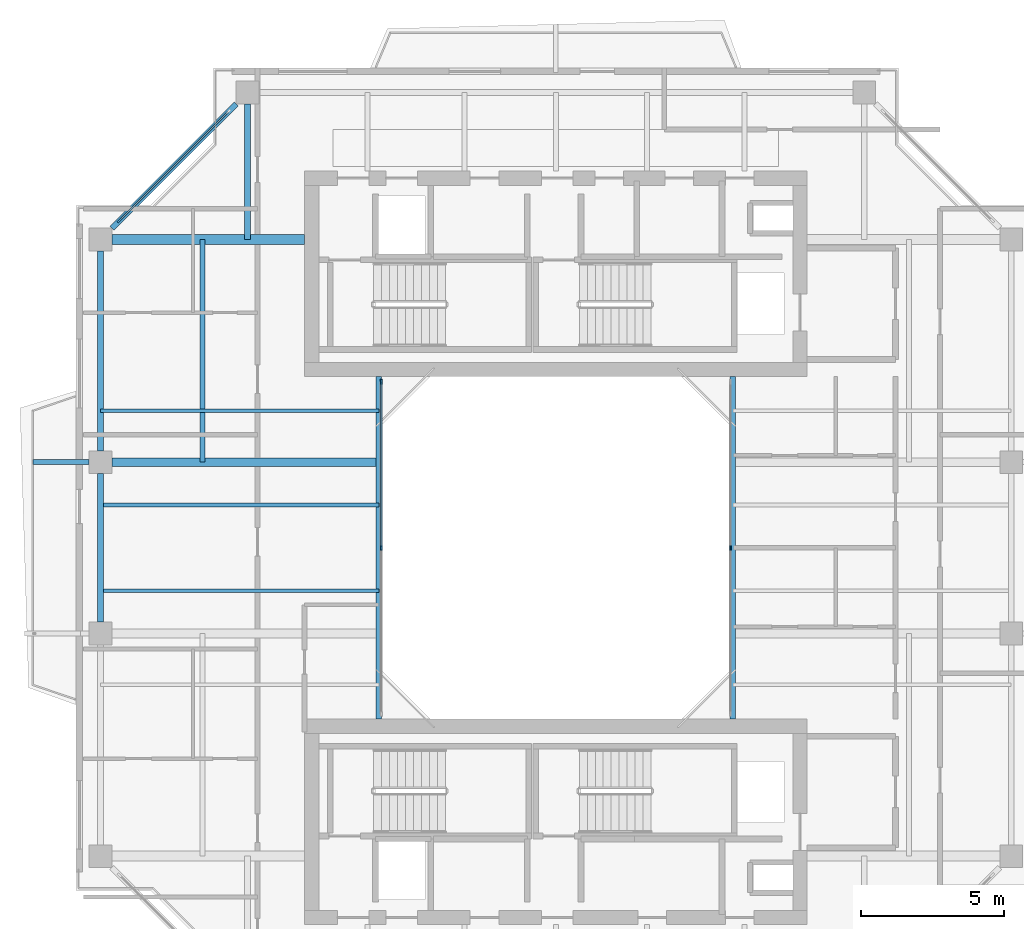
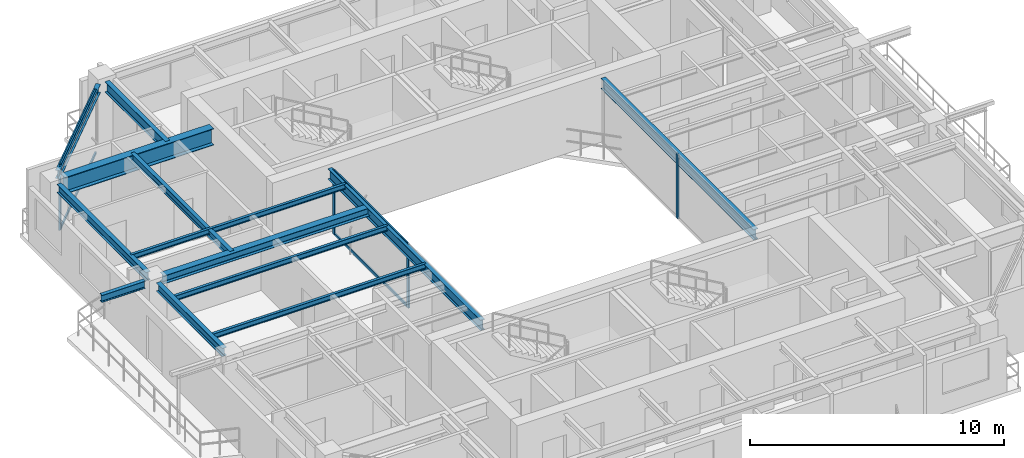
# One storey, part 5 of 15: 13 beams, 8 members, 3 elements without a shape of their own.
"""IFC4 building model written with IfcOpenShell, lengths in metres."""

from ifc_helpers import new_model, si_unit, direction, frame, origin, origin_2d, place, context, subcontext, project, spatial, rectangle, i_section, extrude, source, transform, mapped, material, layer, layer_set, material_profile, profile_set, type_object, element, aggregate, save


model = new_model("IFC4")

# Units and contexts
model_context = context("Model", 3, precision=1e-05, world=origin(), true_north=direction((0.0, 1.0)))
body_context = subcontext(model_context, "Body", "Model", "MODEL_VIEW")
ifc_project = project(units=[si_unit("LENGTHUNIT", "METRE"), si_unit("AREAUNIT", "SQUARE_METRE"), si_unit("VOLUMEUNIT", "CUBIC_METRE"), si_unit("PLANEANGLEUNIT", "RADIAN"), si_unit("MASSUNIT", "GRAM", prefix="KILO"), si_unit("THERMODYNAMICTEMPERATUREUNIT", "KELVIN"), si_unit("POWERUNIT", "WATT")], contexts=[model_context])

# Site, building, storey
site_placement = place(None, origin())
site = spatial("IfcSite", under=ifc_project, at=site_placement, CompositionType="ELEMENT")
building_placement = place(site_placement, origin())
building = spatial("IfcBuilding", under=site, at=building_placement, Name="Qiaomeng Ring Towers", CompositionType="ELEMENT")
storey_placement = place(building_placement, frame((0.0, 0.0, 206.75)))
storey = spatial("IfcBuildingStorey", under=building, at=storey_placement, Name="L60", CompositionType="ELEMENT", Elevation=206.75)

# Beams
ifc_material_1 = material(Name="Steel Q355B", Category="steel")
ifc_material_profile_1 = material_profile(ifc_material_1, i_section(OverallWidth=0.199951171875, OverallDepth=0.5, WebThickness=0.010009765625, FlangeThickness=0.01611328125, FilletRadius=0.02001953125, at=origin_2d()), Name="HN 500x200x10x16")
ifc_profile_set_1 = profile_set([ifc_material_profile_1], Name="Steel Q355B")
beam_type_1 = type_object("IfcBeamType", Name="STR-BM-HN500", PredefinedType="BEAM", material=ifc_profile_set_1)
shared_shape_1 = source(origin(), body_context, "Body", "SweptSolid", [
    extrude(i_section(OverallWidth=0.199951171875, OverallDepth=0.5, WebThickness=0.010009765625, FlangeThickness=0.01611328125, FilletRadius=0.02001953125, at=origin_2d()), origin(), (0.0, 0.0, 1.0), 12.0),
])
for number, where, z_axis, x_axis, name in (
    (1, (12.800048828125, 17.0, 2.820068359375), (0.0, 1.0, 0.0), (-1.0, 0.0, 0.0), "L60 beam STR-BM-L60-WELL-W"),
    (2, (25.199951171875, 17.0, 2.820068359375), (0.0, 1.0, 0.0), (-1.0, 0.0, 0.0), "L60 beam STR-BM-L60-WELL-E"),
):
    element("IfcBeam", number, at=place(storey_placement, frame(where, z_axis=z_axis, x_axis=x_axis)), inside=storey, type_object=beam_type_1, Name=name, PredefinedType="BEAM", context=body_context, shape_type="MappedRepresentation", body=[
        mapped(shared_shape_1, transform((0.0, 0.0, 0.0), x_axis=(1.0, 0.0, 0.0), y_axis=(0.0, 1.0, 0.0), z_axis=(0.0, 0.0, 1.0), scale=1.0)),
    ])
ifc_material_profile_2 = material_profile(ifc_material_1, i_section(OverallWidth=0.198974609375, OverallDepth=0.39599609375, WebThickness=0.007080078125, FlangeThickness=0.010986328125, FilletRadius=0.01611328125, at=origin_2d()), Name="HN 396x199x7x11")
ifc_profile_set_2 = profile_set([ifc_material_profile_2], Name="Steel Q355B")
beam_type_2 = type_object("IfcBeamType", Name="STR-BM-HN396", PredefinedType="SPANDREL", material=ifc_profile_set_2)
shared_shape_2 = source(origin(), body_context, "Body", "SweptSolid", [
    extrude(i_section(OverallWidth=0.198974609375, OverallDepth=0.39599609375, WebThickness=0.007080078125, FlangeThickness=0.010986328125, FilletRadius=0.01611328125, at=origin_2d()), origin(), (0.0, 0.0, 1.0), 6.154052734375),
])
beam_1_placement = place(storey_placement, frame((7.80078125, 38.55078125, 2.8720703125), z_axis=(-0.707106781187, -0.707106781187, 0.0), x_axis=(0.707106781187, -0.707106781187, 0.0)))
element("IfcBeam", 3, at=beam_1_placement, inside=storey, type_object=beam_type_2, Name="L60 beam STR-SP-L60-T1-N1-W4", PredefinedType="SPANDREL", context=body_context, shape_type="MappedRepresentation", body=[
    mapped(shared_shape_2, transform((0.0, 0.0, 0.0), x_axis=(1.0, 0.0, 0.0), y_axis=(0.0, 1.0, 0.0), z_axis=(0.0, 0.0, 1.0), scale=1.0)),
])
shared_shape_3 = source(origin(), body_context, "Body", "SweptSolid", [
    extrude(i_section(OverallWidth=0.198974609375, OverallDepth=0.39599609375, WebThickness=0.007080078125, FlangeThickness=0.010986328125, FilletRadius=0.01611328125, at=origin_2d()), origin(), (0.0, 0.0, 1.0), 7.001953125),
])
beam_2_placement = place(storey_placement, frame((3.050048828125, 33.40087890625, 2.8720703125), z_axis=(0.0, -1.0, 0.0), x_axis=(1.0, 0.0, 0.0)))
element("IfcBeam", 4, at=beam_2_placement, inside=storey, type_object=beam_type_2, Name="L60 beam STR-SP-L60-T1-W4-W3", PredefinedType="SPANDREL", context=body_context, shape_type="MappedRepresentation", body=[
    mapped(shared_shape_3, transform((0.0, 0.0, 0.0), x_axis=(1.0, 0.0, 0.0), y_axis=(0.0, 1.0, 0.0), z_axis=(0.0, 0.0, 1.0), scale=1.0)),
])
shared_shape_4 = source(origin(), body_context, "Body", "SweptSolid", [
    extrude(i_section(OverallWidth=0.198974609375, OverallDepth=0.39599609375, WebThickness=0.007080078125, FlangeThickness=0.010986328125, FilletRadius=0.01611328125, at=origin_2d()), origin(), (0.0, 0.0, 1.0), 5.2021484375),
])
beam_3_placement = place(storey_placement, frame((3.050048828125, 25.60107421875, 2.8720703125), z_axis=(0.0, -1.0, 0.0), x_axis=(1.0, 0.0, 0.0)))
element("IfcBeam", 5, at=beam_3_placement, inside=storey, type_object=beam_type_2, Name="L60 beam STR-SP-L60-T1-W3-W2", PredefinedType="SPANDREL", context=body_context, shape_type="MappedRepresentation", body=[
    mapped(shared_shape_4, transform((0.0, 0.0, 0.0), x_axis=(1.0, 0.0, 0.0), y_axis=(0.0, 1.0, 0.0), z_axis=(0.0, 0.0, 1.0), scale=1.0)),
])
ifc_material_2 = material(Name="Steel Q390GJC", Category="steel")
ifc_material_profile_3 = material_profile(ifc_material_2, i_section(OverallWidth=0.35009765625, OverallDepth=0.800048828125, WebThickness=0.01611328125, FlangeThickness=0.028076171875, at=origin_2d()), Name="WH 800x350x16x28")
ifc_profile_set_3 = profile_set([ifc_material_profile_3], Name="Steel Q390GJC")
beam_type_3 = type_object("IfcBeamType", Name="STR-BM-WH800", PredefinedType="BEAM", material=ifc_profile_set_3)
shared_shape_5 = source(origin(), body_context, "Body", "SweptSolid", [
    extrude(i_section(OverallWidth=0.35009765625, OverallDepth=0.800048828125, WebThickness=0.01611328125, FlangeThickness=0.028076171875, at=origin_2d()), origin(), (0.0, 0.0, 1.0), 6.7509765625),
])
beam_4_placement = place(storey_placement, frame((3.448974609375, 33.800048828125, 2.669921875), z_axis=(1.0, 0.0, 0.0), x_axis=(0.0, 1.0, 0.0)))
element("IfcBeam", 6, at=beam_4_placement, inside=storey, type_object=beam_type_3, Name="L60 beam STR-BM-L60-T1-RAD-W4", PredefinedType="BEAM", context=body_context, shape_type="MappedRepresentation", body=[
    mapped(shared_shape_5, transform((0.0, 0.0, 0.0), x_axis=(1.0, 0.0, 0.0), y_axis=(0.0, 1.0, 0.0), z_axis=(0.0, 0.0, 1.0), scale=1.0)),
])
shared_shape_6 = source(origin(), body_context, "Body", "SweptSolid", [
    extrude(i_section(OverallWidth=0.199951171875, OverallDepth=0.5, WebThickness=0.010009765625, FlangeThickness=0.01611328125, FilletRadius=0.02001953125, at=origin_2d()), origin(), (0.0, 0.0, 1.0), 4.7509765625),
])
beam_5_placement = place(storey_placement, frame((8.199951171875, 38.551025390625, 2.820068359375), z_axis=(0.0, -1.0, 0.0), x_axis=(1.0, 0.0, 0.0)))
element("IfcBeam", 7, at=beam_5_placement, inside=storey, type_object=beam_type_1, Name="L60 beam STR-BM-L60-T1-RAD-N1", PredefinedType="BEAM", context=body_context, shape_type="MappedRepresentation", body=[
    mapped(shared_shape_6, transform((0.0, 0.0, 0.0), x_axis=(1.0, 0.0, 0.0), y_axis=(0.0, 1.0, 0.0), z_axis=(0.0, 0.0, 1.0), scale=1.0)),
])
ifc_material_profile_4 = material_profile(ifc_material_1, i_section(OverallWidth=0.300048828125, OverallDepth=0.389892578125, WebThickness=0.010009765625, FlangeThickness=0.01611328125, FilletRadius=0.02197265625, at=origin_2d()), Name="HM 390x300x10x16")
ifc_profile_set_4 = profile_set([ifc_material_profile_4], Name="Steel Q355B")
beam_type_4 = type_object("IfcBeamType", Name="STR-BM-HM390", PredefinedType="BEAM", material=ifc_profile_set_4)
shared_shape_7 = source(origin(), body_context, "Body", "SweptSolid", [
    extrude(i_section(OverallWidth=0.300048828125, OverallDepth=0.389892578125, WebThickness=0.010009765625, FlangeThickness=0.01611328125, FilletRadius=0.02197265625, at=origin_2d()), origin(), (0.0, 0.0, 1.0), 9.35107421875),
])
beam_6_placement = place(storey_placement, frame((3.448974609375, 26.0, 2.875), z_axis=(1.0, 0.0, 0.0), x_axis=(0.0, 1.0, 0.0)))
element("IfcBeam", 8, at=beam_6_placement, inside=storey, type_object=beam_type_4, Name="L60 beam STR-BM-L60-T1-RAD-W3", PredefinedType="BEAM", context=body_context, shape_type="MappedRepresentation", body=[
    mapped(shared_shape_7, transform((0.0, 0.0, 0.0), x_axis=(1.0, 0.0, 0.0), y_axis=(0.0, 1.0, 0.0), z_axis=(0.0, 0.0, 1.0), scale=1.0)),
])
ifc_material_profile_5 = material_profile(ifc_material_1, i_section(OverallWidth=0.175048828125, OverallDepth=0.35009765625, WebThickness=0.007080078125, FlangeThickness=0.010986328125, FilletRadius=0.013916015625, at=origin_2d()), Name="HN 350x175x7x11")
ifc_profile_set_5 = profile_set([ifc_material_profile_5], Name="Steel Q355B")
beam_type_5 = type_object("IfcBeamType", Name="STR-BM-HN350", PredefinedType="JOIST", material=ifc_profile_set_5)
shared_shape_8 = source(origin(), body_context, "Body", "SweptSolid", [
    extrude(i_section(OverallWidth=0.175048828125, OverallDepth=0.35009765625, WebThickness=0.007080078125, FlangeThickness=0.010986328125, FilletRadius=0.013916015625, at=origin_2d()), origin(), (0.0, 0.0, 1.0), 1.970947265625),
])
beam_7_placement = place(storey_placement, frame((0.679931640625, 26.0, 2.89501953125), z_axis=(1.0, 0.0, 0.0), x_axis=(0.0, 1.0, 0.0)))
element("IfcBeam", 9, at=beam_7_placement, inside=storey, type_object=beam_type_5, Name="L60 beam STR-BALBM-L60-W3", PredefinedType="JOIST", context=body_context, shape_type="MappedRepresentation", body=[
    mapped(shared_shape_8, transform((0.0, 0.0, 0.0), x_axis=(1.0, 0.0, 0.0), y_axis=(0.0, 1.0, 0.0), z_axis=(0.0, 0.0, 1.0), scale=1.0)),
])
ifc_material_profile_6 = material_profile(ifc_material_1, i_section(OverallWidth=0.125, OverallDepth=0.25, WebThickness=0.006103515625, FlangeThickness=0.009033203125, FilletRadius=0.011962890625, at=origin_2d()), Name="HN 250x125x6x9")
ifc_profile_set_6 = profile_set([ifc_material_profile_6], Name="Steel Q355B")
beam_type_6 = type_object("IfcBeamType", Name="STR-BM-HN250", PredefinedType="JOIST", material=ifc_profile_set_6)
shared_shape_9 = source(origin(), body_context, "Body", "SweptSolid", [
    extrude(i_section(OverallWidth=0.125, OverallDepth=0.25, WebThickness=0.006103515625, FlangeThickness=0.009033203125, FilletRadius=0.011962890625, at=origin_2d()), origin(), (0.0, 0.0, 1.0), 9.75),
])
for number, where, z_axis, x_axis, name in (
    (10, (3.050048828125, 21.5, 2.945068359375), (1.0, 0.0, 0.0), (0.0, 1.0, 0.0), "L60 beam STR-JST-L60-T1W-2"),
    (11, (3.050048828125, 24.5, 2.945068359375), (1.0, 0.0, 0.0), (0.0, 1.0, 0.0), "L60 beam STR-JST-L60-T1W-3"),
    (12, (3.050048828125, 27.800048828125, 2.945068359375), (1.0, 0.0, 0.0), (0.0, 1.0, 0.0), "L60 beam STR-JST-L60-T1W-4"),
):
    element("IfcBeam", number, at=place(storey_placement, frame(where, z_axis=z_axis, x_axis=x_axis)), inside=storey, type_object=beam_type_6, Name=name, PredefinedType="JOIST", context=body_context, shape_type="MappedRepresentation", body=[
        mapped(shared_shape_9, transform((0.0, 0.0, 0.0), x_axis=(1.0, 0.0, 0.0), y_axis=(0.0, 1.0, 0.0), z_axis=(0.0, 0.0, 1.0), scale=1.0)),
    ])
shared_shape_10 = source(origin(), body_context, "Body", "SweptSolid", [
    extrude(i_section(OverallWidth=0.175048828125, OverallDepth=0.35009765625, WebThickness=0.007080078125, FlangeThickness=0.010986328125, FilletRadius=0.013916015625, at=origin_2d()), origin(), (0.0, 0.0, 1.0), 7.800048828125),
])
beam_8_placement = place(storey_placement, frame((6.625, 26.0, 2.89501953125), z_axis=(0.0, 1.0, 0.0), x_axis=(-1.0, 0.0, 0.0)))
element("IfcBeam", 13, at=beam_8_placement, inside=storey, type_object=beam_type_5, Name="L60 beam STR-JST-L60-T1C-WN", PredefinedType="JOIST", context=body_context, shape_type="MappedRepresentation", body=[
    mapped(shared_shape_10, transform((0.0, 0.0, 0.0), x_axis=(1.0, 0.0, 0.0), y_axis=(0.0, 1.0, 0.0), z_axis=(0.0, 0.0, 1.0), scale=1.0)),
])

# Curtain wall, members
ifc_material_3 = material(Name="Fluorocarbon dark-grey aluminium", Category="aluminium")
ifc_layer_1 = layer(ifc_material_3, 0.139892578125, Name="Fluorocarbon dark-grey aluminium")
ifc_layer_set_1 = layer_set([ifc_layer_1], Name="Fluorocarbon dark-grey aluminium")
curtain_wall_type_1 = type_object("IfcCurtainWallType", Name="ARC-CW-4", PredefinedType="NOTDEFINED", material=ifc_layer_set_1)
curtain_wall_1_placement = place(storey_placement, origin())
curtain_wall_1 = element("IfcCurtainWall", 14, at=curtain_wall_1_placement, inside=storey, type_object=curtain_wall_type_1, Name="L60 Curtain Wall CW4", PredefinedType="NOTDEFINED")
ifc_material_profile_7 = material_profile(ifc_material_3, rectangle(XDim=0.06494140625, YDim=0.159912109375, at=origin_2d()), Name="ALU MULL 65x160")
ifc_profile_set_7 = profile_set([ifc_material_profile_7], Name="Fluorocarbon dark-grey aluminium")
member_type_1 = type_object("IfcMemberType", Name="ARC-CWM-140", PredefinedType="MULLION", material=ifc_profile_set_7)
shared_shape_11 = source(origin(), body_context, "Body", "SweptSolid", [
    extrude(rectangle(XDim=0.06494140625, YDim=0.159912109375, at=origin_2d()), origin(), (0.0, 0.0, 1.0), 3.070068359375),
])
member_1_placement = place(storey_placement, frame((12.8798828125, 23.0, 0.0), z_axis=(0.0, 0.0, 1.0), x_axis=(-1.0, 0.0, 0.0)))
member_1 = element("IfcMember", 15, at=member_1_placement, type_object=member_type_1, Name="CW4 mullion 2", PredefinedType="MULLION", context=body_context, shape_type="MappedRepresentation", body=[
    mapped(shared_shape_11, transform((0.0, 0.0, 0.0), x_axis=(1.0, 0.0, 0.0), y_axis=(0.0, 1.0, 0.0), z_axis=(0.0, 0.0, 1.0), scale=1.0)),
])
member_2_placement = place(storey_placement, frame((12.8798828125, 28.8173828125, 0.0), z_axis=(0.0, 0.0, 1.0), x_axis=(-1.0, 0.0, 0.0)))
member_2 = element("IfcMember", 16, at=member_2_placement, type_object=member_type_1, Name="CW4 mullion 3", PredefinedType="MULLION", context=body_context, shape_type="MappedRepresentation", body=[
    mapped(shared_shape_11, transform((0.0, 0.0, 0.0), x_axis=(1.0, 0.0, 0.0), y_axis=(0.0, 1.0, 0.0), z_axis=(0.0, 0.0, 1.0), scale=1.0)),
])

# Curtain wall, member
curtain_wall_2_placement = place(storey_placement, origin())
curtain_wall_2 = element("IfcCurtainWall", 17, at=curtain_wall_2_placement, inside=storey, type_object=curtain_wall_type_1, Name="L60 Curtain Wall CW4", PredefinedType="NOTDEFINED")
member_3_placement = place(storey_placement, frame((25.1201171875, 23.0, 0.0), z_axis=(0.0, 0.0, 1.0), x_axis=(-1.0, 0.0, 0.0)))
member_3 = element("IfcMember", 18, at=member_3_placement, type_object=member_type_1, Name="CW4 mullion 2", PredefinedType="MULLION", context=body_context, shape_type="MappedRepresentation", body=[
    mapped(shared_shape_11, transform((0.0, 0.0, 0.0), x_axis=(1.0, 0.0, 0.0), y_axis=(0.0, 1.0, 0.0), z_axis=(0.0, 0.0, 1.0), scale=1.0)),
])
aggregate(curtain_wall_2, [member_3])

# Member
ifc_material_profile_8 = material_profile(ifc_material_3, rectangle(XDim=0.06494140625, YDim=0.1298828125, at=origin_2d()), Name="ALU TRAN 65x130")
ifc_profile_set_8 = profile_set([ifc_material_profile_8], Name="Fluorocarbon dark-grey aluminium")
member_type_2 = type_object("IfcMemberType", Name="ARC-CWT-120", PredefinedType="USERDEFINED", material=ifc_profile_set_8)
shared_shape_12 = source(origin(), body_context, "Body", "SweptSolid", [
    extrude(rectangle(XDim=0.06494140625, YDim=0.1298828125, at=origin_2d()), origin(), (0.0, 0.0, 1.0), 5.75244140625),
])
member_4_placement = place(storey_placement, frame((12.8798828125, 23.032470703125, 0.032470703125), z_axis=(0.0, 1.0, 0.0), x_axis=(-1.0, 0.0, 0.0)))
member_4 = element("IfcMember", 19, at=member_4_placement, type_object=member_type_2, Name="CW4 transom 2.1", ObjectType="TRANSOM", PredefinedType="USERDEFINED", context=body_context, shape_type="MappedRepresentation", body=[
    mapped(shared_shape_12, transform((0.0, 0.0, 0.0), x_axis=(1.0, 0.0, 0.0), y_axis=(0.0, 1.0, 0.0), z_axis=(0.0, 0.0, 1.0), scale=1.0)),
])

member_5_placement = place(storey_placement, frame((12.8798828125, 23.032470703125, 3.03759765625), z_axis=(0.0, 1.0, 0.0), x_axis=(-1.0, 0.0, 0.0)))
member_5 = element("IfcMember", 20, at=member_5_placement, type_object=member_type_2, Name="CW4 transom 2.2", ObjectType="TRANSOM", PredefinedType="USERDEFINED", context=body_context, shape_type="MappedRepresentation", body=[
    mapped(shared_shape_12, transform((0.0, 0.0, 0.0), x_axis=(1.0, 0.0, 0.0), y_axis=(0.0, 1.0, 0.0), z_axis=(0.0, 0.0, 1.0), scale=1.0)),
])

aggregate(curtain_wall_1, [member_1, member_2, member_4, member_5])

# Curtain wall, members
ifc_layer_2 = layer(ifc_material_3, 0.14990234375, Name="Fluorocarbon dark-grey aluminium")
ifc_layer_set_2 = layer_set([ifc_layer_2], Name="Fluorocarbon dark-grey aluminium")
curtain_wall_type_2 = type_object("IfcCurtainWallType", Name="ARC-CW-3", PredefinedType="NOTDEFINED", material=ifc_layer_set_2)
curtain_wall_3_placement = place(storey_placement, origin())
curtain_wall_3 = element("IfcCurtainWall", 21, at=curtain_wall_3_placement, inside=storey, type_object=curtain_wall_type_2, Name="L60 Curtain Wall CW3", PredefinedType="NOTDEFINED")
ifc_material_profile_9 = material_profile(ifc_material_3, rectangle(XDim=0.070068359375, YDim=0.179931640625, at=origin_2d()), Name="ALU MULL 70x180")
ifc_profile_set_9 = profile_set([ifc_material_profile_9], Name="Fluorocarbon dark-grey aluminium")
member_type_3 = type_object("IfcMemberType", Name="ARC-CWM-160", PredefinedType="MULLION", material=ifc_profile_set_9)
shared_shape_13 = source(origin(), body_context, "Body", "SweptSolid", [
    extrude(rectangle(XDim=0.070068359375, YDim=0.179931640625, at=origin_2d()), origin(), (0.0, 0.0, 1.0), 3.070068359375),
])
member_6_placement = place(storey_placement, frame((3.71484375, 34.46484375, 0.0), z_axis=(0.0, 0.0, 1.0), x_axis=(0.707106781187, -0.707106781187, 0.0)))
member_6 = element("IfcMember", 22, at=member_6_placement, type_object=member_type_3, Name="CW3 mullion 2", PredefinedType="MULLION", context=body_context, shape_type="MappedRepresentation", body=[
    mapped(shared_shape_13, transform((0.0, 0.0, 0.0), x_axis=(1.0, 0.0, 0.0), y_axis=(0.0, 1.0, 0.0), z_axis=(0.0, 0.0, 1.0), scale=1.0)),
])
shared_shape_14 = source(origin(), body_context, "Body", "SweptSolid", [
    extrude(rectangle(XDim=0.06494140625, YDim=0.1298828125, at=origin_2d()), origin(), (0.0, 0.0, 1.0), 5.3330078125),
])
member_7_placement = place(storey_placement, frame((7.510498046875, 38.260498046875, 0.032470703125), z_axis=(-0.707106781187, -0.707106781187, 0.0), x_axis=(0.707106781187, -0.707106781187, 0.0)))
member_7 = element("IfcMember", 23, at=member_7_placement, type_object=member_type_2, Name="CW3 transom 1.1", ObjectType="TRANSOM", PredefinedType="USERDEFINED", context=body_context, shape_type="MappedRepresentation", body=[
    mapped(shared_shape_14, transform((0.0, 0.0, 0.0), x_axis=(1.0, 0.0, 0.0), y_axis=(0.0, 1.0, 0.0), z_axis=(0.0, 0.0, 1.0), scale=1.0)),
])
member_8_placement = place(storey_placement, frame((7.510498046875, 38.260498046875, 3.03759765625), z_axis=(-0.707106781187, -0.707106781187, 0.0), x_axis=(0.707106781187, -0.707106781187, 0.0)))
member_8 = element("IfcMember", 24, at=member_8_placement, type_object=member_type_2, Name="CW3 transom 1.2", ObjectType="TRANSOM", PredefinedType="USERDEFINED", context=body_context, shape_type="MappedRepresentation", body=[
    mapped(shared_shape_14, transform((0.0, 0.0, 0.0), x_axis=(1.0, 0.0, 0.0), y_axis=(0.0, 1.0, 0.0), z_axis=(0.0, 0.0, 1.0), scale=1.0)),
])
aggregate(curtain_wall_3, [member_6, member_7, member_8])

save(model, "model.ifc")
